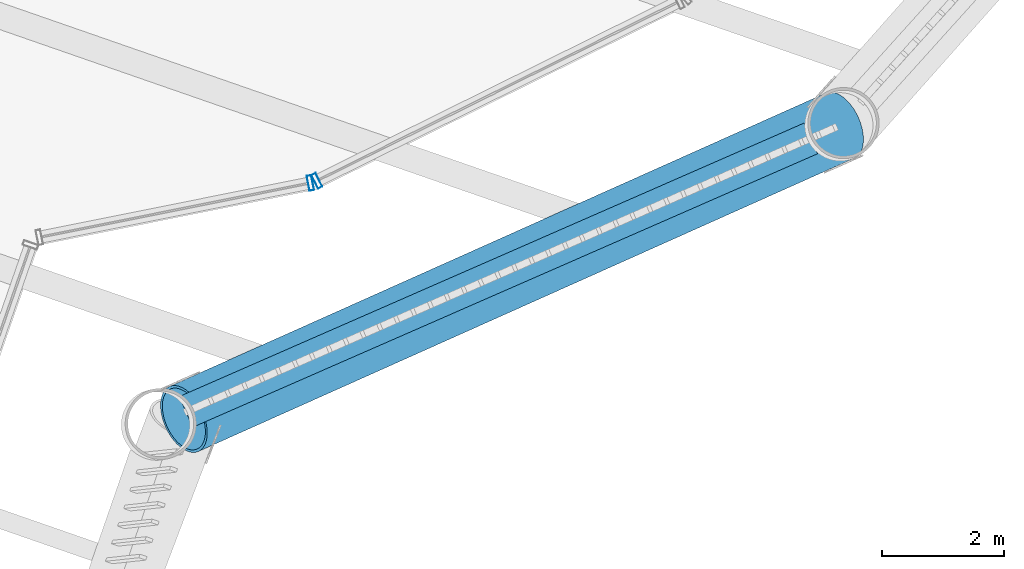
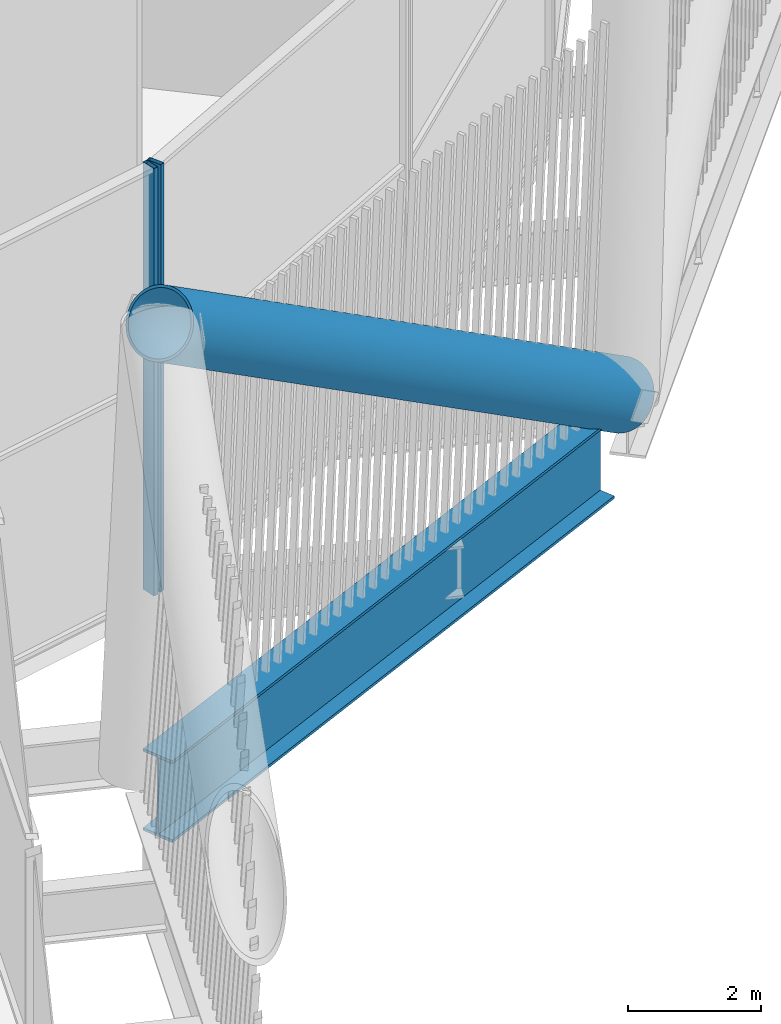
# One storey, part 10 of 63: 3 members, 1 beam, 2 elements without a shape of their own.
"""IFC4 building model written with IfcOpenShell, lengths in metres."""

from ifc_helpers import new_model, si_unit, direction, frame, origin, origin_2d, place, context, subcontext, project, spatial, hollow_rectangle, hollow_circle, i_section, extrude, material, layer, layer_set, material_profile, profile_set, type_object, element, aggregate, save


model = new_model("IFC4")

# Units and contexts
model_context = context("Model", 3, precision=1e-05, world=origin(), true_north=direction((0.0, 1.0)))
body_context = subcontext(model_context, "Body", "Model", "MODEL_VIEW")
ifc_project = project(units=[si_unit("LENGTHUNIT", "METRE"), si_unit("AREAUNIT", "SQUARE_METRE"), si_unit("VOLUMEUNIT", "CUBIC_METRE"), si_unit("PLANEANGLEUNIT", "RADIAN"), si_unit("MASSUNIT", "GRAM", prefix="KILO")], contexts=[model_context])

# Site, building, storey
site_placement = place(None, origin())
site = spatial("IfcSite", under=ifc_project, at=site_placement, CompositionType="ELEMENT")
building_placement = place(site_placement, origin())
building = spatial("IfcBuilding", under=site, at=building_placement, Name="Tarsis Ring Headquarters", CompositionType="ELEMENT")
storey_placement = place(building_placement, frame((0.0, 0.0, 139.60009765625)))
storey = spatial("IfcBuildingStorey", under=building, at=storey_placement, Name="L32", CompositionType="ELEMENT", Elevation=139.60009765625)

# Curtain wall, member
ifc_material_1 = material(Name="Aluminium curtain wall", Category="aluminium")
ifc_layer = layer(ifc_material_1, 0.25)
ifc_layer_set = layer_set([ifc_layer], Name="Curtain wall sky lobby")
curtain_wall_type = type_object("IfcCurtainWallType", Name="Curtain wall sky lobby", PredefinedType="NOTDEFINED", material=ifc_layer_set)
curtain_wall_1_placement = place(storey_placement, origin())
curtain_wall_1 = element("IfcCurtainWall", 1, at=curtain_wall_1_placement, inside=storey, type_object=curtain_wall_type, Name="Curtain wall L32-17", PredefinedType="NOTDEFINED")
ifc_material_2 = material(Name="Aluminium mullion", Category="aluminium")
ifc_material_profile_1 = material_profile(ifc_material_2, hollow_rectangle(XDim=0.25, YDim=0.080078125, WallThickness=0.0048828125, at=origin_2d()), Name="RHS 250x80x5")
ifc_profile_set_1 = profile_set([ifc_material_profile_1], Name="Aluminium mullion")
member_type_1 = type_object("IfcMemberType", Name="Curtain wall mullion sky lobby RHS 250x80x5", PredefinedType="MULLION", material=ifc_profile_set_1)
member_1_placement = place(storey_placement, frame((8.300048828125, -24.498779296875, 0.0), z_axis=(0.0, 0.0, 1.0), x_axis=(-0.19663067112, 0.980477628085, 0.0)))
member_1 = element("IfcMember", 2, at=member_1_placement, type_object=member_type_1, Name="CW-S mullion 2", PredefinedType="MULLION", context=body_context, shape_type="SweptSolid", body=[
    extrude(hollow_rectangle(XDim=0.25, YDim=0.080078125, WallThickness=0.0048828125, at=origin_2d()), origin(), (0.0, 0.0, 1.0), 7.83984375),
])
aggregate(curtain_wall_1, [member_1])

curtain_wall_2_placement = place(storey_placement, origin())
curtain_wall_2 = element("IfcCurtainWall", 3, at=curtain_wall_2_placement, inside=storey, type_object=curtain_wall_type, Name="Curtain wall L32-18", PredefinedType="NOTDEFINED")
member_2_placement = place(storey_placement, frame((8.406005859375, -24.462646484375, 0.0), z_axis=(0.0, 0.0, 1.0), x_axis=(-0.443696960471, 0.896176883918, 0.0)))
member_2 = element("IfcMember", 4, at=member_2_placement, type_object=member_type_1, Name="CW-S mullion 1", PredefinedType="MULLION", context=body_context, shape_type="SweptSolid", body=[
    extrude(hollow_rectangle(XDim=0.25, YDim=0.080078125, WallThickness=0.0048828125, at=origin_2d()), origin(), (0.0, 0.0, 1.0), 7.83984375),
])
aggregate(curtain_wall_2, [member_2])

# Member
ifc_material_3 = material(Name="Structural steel S355", Category="steel")
ifc_material_profile_2 = material_profile(ifc_material_3, hollow_circle(Radius=0.584228515625, WallThickness=0.044921875, at=origin_2d()), Name="CHS 1168x45")
ifc_profile_set_2 = profile_set([ifc_material_profile_2], Name="Structural steel S355")
member_type_2 = type_object("IfcMemberType", Name="TD Belt truss diagonal CHS 1168x45", PredefinedType="BRACE", material=ifc_profile_set_2)
member_3_placement = place(storey_placement, frame((16.997314453125, -23.556396484375, 0.0), z_axis=(-0.755662051128, -0.337883604978, 0.561078901735), x_axis=(0.4081891564, -0.912897372434, 0.0)))
element("IfcMember", 5, at=member_3_placement, inside=storey, type_object=member_type_2, Name="Belt truss diagonal TD3", PredefinedType="BRACE", context=body_context, shape_type="SweptSolid", body=[
    extrude(hollow_circle(Radius=0.584228515625, WallThickness=0.044921875, at=origin_2d()), origin(), (0.0, 0.0, 1.0), 14.25830078125),
])

# Beam
ifc_material_profile_3 = material_profile(ifc_material_3, i_section(OverallWidth=0.550048828125, OverallDepth=1.5, WebThickness=0.030029296875, FlangeThickness=0.050048828125, at=origin_2d()), Name="PG 1500x550x30x50")
ifc_profile_set_3 = profile_set([ifc_material_profile_3], Name="Structural steel S355")
beam_type = type_object("IfcBeamType", Name="XG Ring girder PG 1500x550x30x50", PredefinedType="BEAM", material=ifc_profile_set_3)
beam_placement = place(storey_placement, frame((6.258056640625, -28.257568359375, -0.75), z_axis=(0.916073746849, 0.401009838202, 0.0), x_axis=(-0.401009838202, 0.916073746849, 0.0)))
element("IfcBeam", 6, at=beam_placement, inside=storey, type_object=beam_type, Name="Ring girder XG6", PredefinedType="BEAM", context=body_context, shape_type="SweptSolid", body=[
    extrude(i_section(OverallWidth=0.550048828125, OverallDepth=1.5, WebThickness=0.030029296875, FlangeThickness=0.050048828125, at=origin_2d()), origin(), (0.0, 0.0, 1.0), 11.197265625),
])

save(model, "model.ifc")
